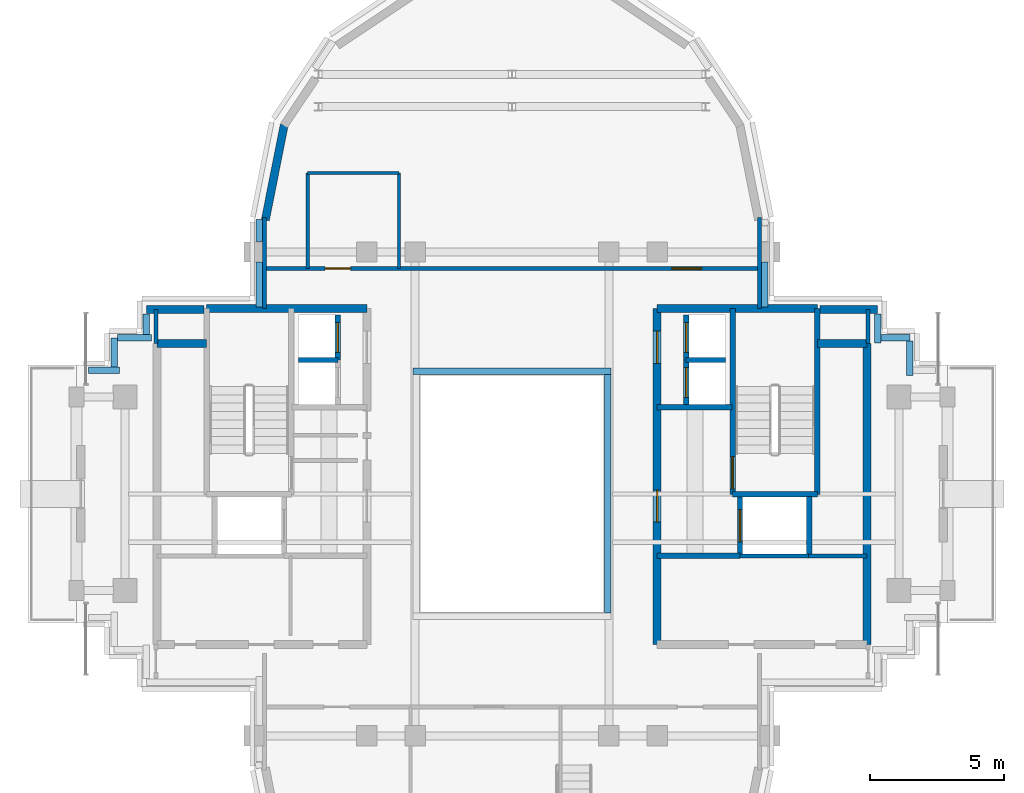
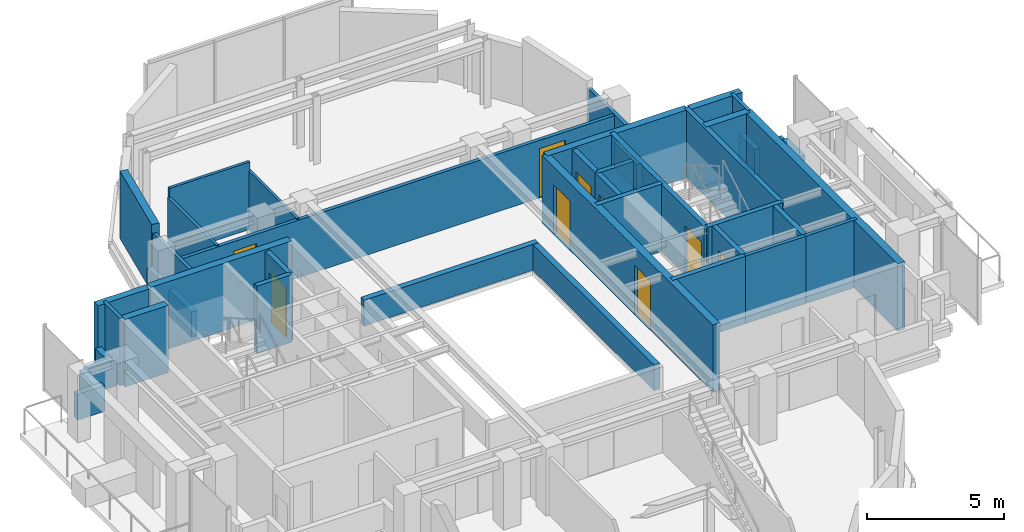
# One storey, part 8 of 12: 43 walls, 9 doors, 9 openings.
"""IFC4 building model written with IfcOpenShell, lengths in metres."""

import ifcopenshell
import ifcopenshell.guid

model = None  # the IFC model being written
_history = None  # IfcOwnerHistory: only IFC2X3 demands one
_inside = {}  # id of a spatial element -> (the spatial element, [elements in it])
_under = {}  # id of a project, library or spatial element -> (it, [spatial elements below it])
_declared = {}  # id of a project -> (the project, [libraries it declares])
_typed = {}  # id of a type object -> (the type object, [elements of that type])
_made_of = {}  # id of a material, layer set ... -> (it, [elements and type objects made of it])


def new_model(schema):
    """Start an empty IFC model of exactly this schema.

    Asked for "IFC4X3", IfcOpenShell would pick the latest addendum, in which some entities
    have other attributes; the version numbers below select the first issue.
    IFC2X3 requires an IfcOwnerHistory on every rooted entity: one is made here for all.
    """
    global model, _history
    if schema == "IFC4X3":
        model = ifcopenshell.file(schema_version=(4, 3, 0, 0))
    else:
        model = ifcopenshell.file(schema=schema)
    _inside.clear()
    _under.clear()
    _declared.clear()
    _typed.clear()
    _made_of.clear()
    _history = None
    if model.schema == "IFC2X3":
        org = make("IfcOrganization", Name="unknown")
        user = make(
            "IfcPersonAndOrganization",
            ThePerson=make("IfcPerson", FamilyName="unknown"),
            TheOrganization=org,
        )
        app = make(
            "IfcApplication",
            ApplicationDeveloper=org,
            Version="unknown",
            ApplicationFullName="unknown",
            ApplicationIdentifier="unknown",
        )
        _history = make(
            "IfcOwnerHistory",
            OwningUser=user,
            OwningApplication=app,
            ChangeAction="ADDED",
            CreationDate=0,
        )
    return model


def make(cls, **values):
    """One entity of the class cls with the attributes given. An attribute that is None is left unset."""
    return model.create_entity(
        cls, **{name: value for name, value in values.items() if value is not None}
    )


def rooted(cls, **values):
    """An entity with a GlobalId (a new one), such as an element, a storey or a relation."""
    return make(cls, GlobalId=ifcopenshell.guid.new(), OwnerHistory=_history, **values)


def si_unit(unit_type, name, prefix=None):
    """IfcSIUnit, for example si_unit("LENGTHUNIT", "METRE", prefix="MILLI")."""
    return make("IfcSIUnit", UnitType=unit_type, Prefix=prefix, Name=name)


def assignment(units):
    """IfcUnitAssignment: the units of a project."""
    return None if units is None else make("IfcUnitAssignment", Units=units)


def point(xyz):
    """IfcCartesianPoint."""
    return None if xyz is None else make("IfcCartesianPoint", Coordinates=xyz)


def direction(xyz):
    """IfcDirection."""
    return None if xyz is None else make("IfcDirection", DirectionRatios=xyz)


def frame(location, z_axis=None, x_axis=None):
    """IfcAxis2Placement3D, a coordinate frame: its origin and axes. An axis left out is left unset."""
    return make(
        "IfcAxis2Placement3D",
        Location=point(location),
        Axis=direction(z_axis),
        RefDirection=direction(x_axis),
    )


def frame_2d(location, x_axis=None):
    """IfcAxis2Placement2D, a coordinate frame in the plane: its origin and x axis."""
    return make(
        "IfcAxis2Placement2D", Location=point(location), RefDirection=direction(x_axis)
    )


def origin():
    """The frame at (0, 0, 0) with its axes left unset."""
    return frame((0.0, 0.0, 0.0))


def place(relative_to, where):
    """IfcLocalPlacement: puts the frame where relative to a parent placement (None: the world)."""
    return make(
        "IfcLocalPlacement", PlacementRelTo=relative_to, RelativePlacement=where
    )


def context(
    kind, dimensions, precision=None, world=None, true_north=None, identifier=None
):
    """IfcGeometricRepresentationContext, for example the 3D "Model" context."""
    return make(
        "IfcGeometricRepresentationContext",
        ContextIdentifier=identifier,
        ContextType=kind,
        CoordinateSpaceDimension=dimensions,
        Precision=precision,
        WorldCoordinateSystem=world,
        TrueNorth=true_north,
    )


def subcontext(parent, identifier, kind, view, scale=None):
    """IfcGeometricRepresentationSubContext, for example "Body" below "Model"."""
    return make(
        "IfcGeometricRepresentationSubContext",
        ContextIdentifier=identifier,
        ContextType=kind,
        ParentContext=parent,
        TargetScale=scale,
        TargetView=view,
    )


def project(units=None, contexts=None):
    """IfcProject with its units and contexts."""
    return rooted(
        "IfcProject",
        Name="project",
        RepresentationContexts=contexts,
        UnitsInContext=assignment(units),
    )


def spatial(cls, under=None, at=None, **own):
    """A site, building, storey or space (cls), placed at a placement, below another one or the project."""
    s = rooted(cls, ObjectPlacement=at, **own)
    if under is not None:
        _under.setdefault(under.id(), (under, []))[1].append(s)
    return s


def profile(cls, at=None, kind="AREA", **sizes):
    """A parametric profile (cls). Its sizes go by their IFC names, for example OverallWidth=200.0."""
    return make(cls, ProfileType=kind, Position=at, **sizes)


def rectangle(**sizes):
    """IfcRectangleProfileDef."""
    return profile("IfcRectangleProfileDef", **sizes)


def extrude(swept, where, along, depth):
    """IfcExtrudedAreaSolid: the profile swept, set in the frame where, extruded along a direction by depth."""
    return make(
        "IfcExtrudedAreaSolid",
        SweptArea=swept,
        Position=where,
        ExtrudedDirection=direction(along),
        Depth=depth,
    )


def shape(context_of_items, identifier, shape_type, items):
    """IfcShapeRepresentation: the items that make up one representation, for example the "Body"."""
    return make(
        "IfcShapeRepresentation",
        ContextOfItems=context_of_items,
        RepresentationIdentifier=identifier,
        RepresentationType=shape_type,
        Items=items,
    )


def source(mapping_origin, context_of_items, identifier, shape_type, items):
    """IfcRepresentationMap: a shape defined once, which mapped items show again and again."""
    return make(
        "IfcRepresentationMap",
        MappingOrigin=mapping_origin,
        MappedRepresentation=shape(context_of_items, identifier, shape_type, items),
    )


def transform(
    local_origin,
    x_axis=None,
    y_axis=None,
    z_axis=None,
    scale=None,
    scale2=None,
    scale3=None,
    uniform=True,
):
    """IfcCartesianTransformationOperator3D, or its non-uniform kind. x_axis, y_axis, z_axis: its Axis1, 2, 3."""
    if uniform:
        return make(
            "IfcCartesianTransformationOperator3D",
            Axis1=direction(x_axis),
            Axis2=direction(y_axis),
            LocalOrigin=point(local_origin),
            Scale=scale,
            Axis3=direction(z_axis),
        )
    return make(
        "IfcCartesianTransformationOperator3DnonUniform",
        Axis1=direction(x_axis),
        Axis2=direction(y_axis),
        LocalOrigin=point(local_origin),
        Scale=scale,
        Axis3=direction(z_axis),
        Scale2=scale2,
        Scale3=scale3,
    )


def mapped(mapping_source, mapping_target):
    """IfcMappedItem: shows the shape of a source again, moved by a transform."""
    return make(
        "IfcMappedItem", MappingSource=mapping_source, MappingTarget=mapping_target
    )


def material(Name=None, Category=None):
    """IfcMaterial."""
    return make("IfcMaterial", Name=Name, Category=Category)


def layer(
    of_material, thickness, ventilated=None, Name=None, Category=None, Priority=None
):
    """IfcMaterialLayer: one layer of a wall or slab, of a material (None: an air gap)."""
    return make(
        "IfcMaterialLayer",
        Material=of_material,
        LayerThickness=thickness,
        IsVentilated=ventilated,
        Name=Name,
        Category=Category,
        Priority=Priority,
    )


def layer_set(layers, Name=None):
    """IfcMaterialLayerSet."""
    return make("IfcMaterialLayerSet", MaterialLayers=layers, LayerSetName=Name)


def made_of(thing, what):
    """Note that an element or type object is made of a material, layer set ...; save() writes the relation."""
    if what is not None:
        _made_of.setdefault(what.id(), (what, []))[1].append(thing)
    return thing


def type_object(cls, material=None, **own):
    """A type object (cls), such as IfcWallType, which elements share."""
    return made_of(rooted(cls, **own), material)


def element(
    cls,
    number,
    at=None,
    inside=None,
    cuts=None,
    type_object=None,
    material=None,
    context=None,
    identifier="Body",
    shape_type=None,
    held_by="IfcProductDefinitionShape",
    body=None,
    shapes=None,
    **own,
):
    """One element of the class cls, such as IfcWall. Its Tag is "e" and its number.

    at: its placement. inside: the storey or other place that contains it. cuts: it is an
    opening in that element (IfcRelVoidsElement). A single representation is given by context,
    identifier, shape_type and body (its items); several are given by shapes. held_by: the class
    of the entity that holds the representations. save() writes the other relations.
    """
    e = rooted(cls, Tag="e%d" % number, ObjectPlacement=at, **own)
    if body is not None:
        shapes = [shape(context, identifier, shape_type, body)]
    if shapes is not None:
        e.Representation = make(held_by, Representations=shapes)
    if inside is not None:
        _inside.setdefault(inside.id(), (inside, []))[1].append(e)
    if cuts is not None:
        rooted(
            "IfcRelVoidsElement", RelatingBuildingElement=cuts, RelatedOpeningElement=e
        )
    if type_object is not None:
        _typed.setdefault(type_object.id(), (type_object, []))[1].append(e)
    return made_of(e, material)


def fill(opening, filler):
    """IfcRelFillsElement: the door or window that sits in an opening."""
    return rooted(
        "IfcRelFillsElement",
        RelatingOpeningElement=opening,
        RelatedBuildingElement=filler,
    )


def aggregate(whole, parts):
    """IfcRelAggregates: a whole, such as a stair, and the parts it consists of."""
    return rooted("IfcRelAggregates", RelatingObject=whole, RelatedObjects=parts)


def save(model, path):
    """Write the relations noted so far, then the file.

    IfcRelAggregates (storeys below a building ...), IfcRelContainedInSpatialStructure (elements
    in a storey), IfcRelDefinesByType, IfcRelAssociatesMaterial and IfcRelDeclares: one each for
    every whole, place, type object, material and project.
    """
    for whole, parts in _under.values():
        aggregate(whole, parts)
    for where, things in _inside.values():
        rooted(
            "IfcRelContainedInSpatialStructure",
            RelatedElements=things,
            RelatingStructure=where,
        )
    for kind, things in _typed.values():
        rooted("IfcRelDefinesByType", RelatedObjects=things, RelatingType=kind)
    for what, things in _made_of.values():
        rooted("IfcRelAssociatesMaterial", RelatedObjects=things, RelatingMaterial=what)
    for by, libraries in _declared.values():
        rooted("IfcRelDeclares", RelatingContext=by, RelatedDefinitions=libraries)
    model.write(path)


model = new_model("IFC4")

# Units and contexts
model_context = context("Model", 3, precision=1e-05, world=origin(), true_north=direction((0.0, 1.0)))
body_context = subcontext(model_context, "Body", "Model", "MODEL_VIEW")
ifc_project = project(units=[si_unit("LENGTHUNIT", "METRE"), si_unit("AREAUNIT", "SQUARE_METRE"), si_unit("VOLUMEUNIT", "CUBIC_METRE"), si_unit("PLANEANGLEUNIT", "RADIAN"), si_unit("MASSUNIT", "GRAM", prefix="KILO")], contexts=[model_context])

# Site, building, storey
site_placement = place(None, origin())
site = spatial("IfcSite", under=ifc_project, at=site_placement, CompositionType="ELEMENT")
building_placement = place(site_placement, origin())
building = spatial("IfcBuilding", under=site, at=building_placement, Name="Keilestroom Media Tower", CompositionType="ELEMENT")
storey_placement = place(building_placement, frame((0.0, 0.0, 252.39990234375)))
storey = spatial("IfcBuildingStorey", under=building, at=storey_placement, Name="L70", CompositionType="ELEMENT", Elevation=252.39990234375)

# Walls
ifc_material_1 = material(Name="Precast concrete C40/50", Category="concrete")
ifc_layer_1 = layer(ifc_material_1, 0.300048828125)
ifc_layer_set_1 = layer_set([ifc_layer_1], Name="Precast concrete C40/50")
wall_type_1 = type_object("IfcWallType", Name="Exterior-Masonry-Spandrel-Wall-300", PredefinedType="SOLIDWALL", material=ifc_layer_set_1)
for number, where, z_axis, x_axis, name in (
    (1, (-13.60009765625, 6.85009765625, 0.0), (0.0, 0.0, 1.0), (1.0, 0.0, 0.0), "L70 Flank Masonry Wall EWL-L70-NW-1"),
    (2, (11.447998046875, 6.85009765625, 0.0), (0.0, 0.0, 1.0), (1.0, 0.0, 0.0), "L70 Flank Masonry Wall EWL-L70-NE-1"),
):
    element("IfcWall", number, at=place(storey_placement, frame(where, z_axis=z_axis, x_axis=x_axis)), inside=storey, type_object=wall_type_1, Name=name, PredefinedType="SOLIDWALL", context=body_context, shape_type="SweptSolid", body=[
        extrude(rectangle(XDim=2.152099609375, YDim=0.300048828125, at=frame_2d((1.076171875, 0.0))), origin(), (0.0, 0.0, 1.0), 3.010009765625),
    ])
wall_1_placement = place(storey_placement, frame((-8.470703125, 13.724609375, 0.0), z_axis=(0.0, 0.0, 1.0), x_axis=(-0.195114232679, -0.980780523974, 0.0)))
element("IfcWall", 3, at=wall_1_placement, inside=storey, type_object=wall_type_1, Name="L70 Lobe Facet Precast Frame Wall 06", PredefinedType="SOLIDWALL", context=body_context, shape_type="SweptSolid", body=[
    extrude(rectangle(XDim=3.608642578125, YDim=0.300048828125, at=frame_2d((1.80419921875, 0.0))), origin(), (0.0, 0.0, 1.0), 3.010009765625),
])
ifc_material_2 = material(Name="Gypsum Plasterboard & Steel Stud", Category="steel")
ifc_layer_2 = layer(ifc_material_2, 0.1201171875)
ifc_layer_set_2 = layer_set([ifc_layer_2], Name="Gypsum Plasterboard & Steel Stud")
wall_type_2 = type_object("IfcWallType", Name="Interior-Partition-Wall-120", PredefinedType="PARTITIONING", material=ifc_layer_set_2)
wall_2_placement = place(storey_placement, frame((-7.60009765625, 11.929931640625, 0.0), z_axis=(0.0, 0.0, 1.0), x_axis=(1.0, 0.0, 0.0)))
element("IfcWall", 4, at=wall_2_placement, inside=storey, type_object=wall_type_2, Name="L70 Interior Wall WP-L70-NL-WC-N", PredefinedType="PARTITIONING", context=body_context, shape_type="SweptSolid", body=[
    extrude(rectangle(XDim=3.400146484375, YDim=0.1201171875, at=frame_2d((1.7001953125, 0.0))), origin(), (0.0, 0.0, 1.0), 3.010009765625),
])
for number, where, z_axis, x_axis, name in (
    (5, (-7.60009765625, 8.3798828125, 0.0), (0.0, 0.0, 1.0), (0.0, 1.0, 0.0), "L70 Interior Wall WP-L70-NL-WC-W"),
    (6, (-4.199951171875, 8.3798828125, 0.0), (0.0, 0.0, 1.0), (0.0, 1.0, 0.0), "L70 Interior Wall WP-L70-NL-WC-E"),
):
    element("IfcWall", number, at=place(storey_placement, frame(where, z_axis=z_axis, x_axis=x_axis)), inside=storey, type_object=wall_type_2, Name=name, PredefinedType="PARTITIONING", context=body_context, shape_type="SweptSolid", body=[
        extrude(rectangle(XDim=3.550048828125, YDim=0.1201171875, at=frame_2d((1.77490234375, 0.0))), origin(), (0.0, 0.0, 1.0), 2.610107421875),
    ])
ifc_layer_3 = layer(ifc_material_2, 0.14990234375)
ifc_layer_set_3 = layer_set([ifc_layer_3], Name="Gypsum Plasterboard & Steel Stud")
wall_type_3 = type_object("IfcWallType", Name="Interior-Partition-Wall-150", PredefinedType="PARTITIONING", material=ifc_layer_set_3)
wall_3_placement = place(storey_placement, frame((11.02001953125, -2.320068359375, 0.0), z_axis=(0.0, 0.0, 1.0), x_axis=(1.0, 0.0, 0.0)))
element("IfcWall", 7, at=wall_3_placement, inside=storey, type_object=wall_type_3, Name="L70 Interior Wall WP-L70-RECLE-N", PredefinedType="PARTITIONING", context=body_context, shape_type="SweptSolid", body=[
    extrude(rectangle(XDim=2.179931640625, YDim=0.14990234375, at=frame_2d((1.08984375, 0.0))), origin(), (0.0, 0.0, 1.0), 3.010009765625),
])
wall_4_placement = place(storey_placement, frame((8.47998046875, -2.320068359375, 0.0), z_axis=(0.0, 0.0, 1.0), x_axis=(1.0, 0.0, 0.0)))
element("IfcWall", 8, at=wall_4_placement, inside=storey, type_object=wall_type_3, Name="L70 Interior Wall WP-L70-RECME-N", PredefinedType="PARTITIONING", context=body_context, shape_type="SweptSolid", body=[
    extrude(rectangle(XDim=2.56005859375, YDim=0.14990234375, at=frame_2d((1.280029296875, 0.0))), origin(), (0.0, 0.0, 1.0), 3.010009765625),
])

# Wall, openings, doors
wall_5_placement = place(storey_placement, frame((-9.199951171875, 8.3798828125, 0.0), z_axis=(0.0, 0.0, 1.0), x_axis=(1.0, 0.0, 0.0)))
wall_5 = element("IfcWall", 9, at=wall_5_placement, inside=storey, type_object=wall_type_3, Name="L70 Interior Wall WP-L70-NL-BASE", PredefinedType="PARTITIONING", context=body_context, shape_type="SweptSolid", body=[
    extrude(rectangle(XDim=18.39990234375, YDim=0.14990234375, at=frame_2d((9.199951171875, 0.0))), origin(), (0.0, 0.0, 1.0), 2.570068359375),
])
opening_1_placement = place(wall_5_placement, frame((2.25, 0.0, 0.0)))
opening_1 = element("IfcOpeningElement", 10, at=opening_1_placement, cuts=wall_5, Name="Opening DI-03", PredefinedType="OPENING", context=body_context, shape_type="SweptSolid", body=[
    extrude(rectangle(XDim=0.949951171875, YDim=2.14990234375, at=frame_2d((0.47509765625, 1.074951171875))), frame((0.0, 0.0849609375, 0.0), z_axis=(0.0, -1.0, 0.0), x_axis=(1.0, 0.0, 0.0)), (0.0, 0.0, 1.0), 0.169921875),
])
opening_2_placement = place(wall_5_placement, frame((15.14990234375, 0.0, 0.0)))
opening_2 = element("IfcOpeningElement", 11, at=opening_2_placement, cuts=wall_5, Name="Opening DI-04", PredefinedType="OPENING", context=body_context, shape_type="SweptSolid", body=[
    extrude(rectangle(XDim=1.10009765625, YDim=2.199951171875, at=frame_2d((0.550048828125, 1.10009765625))), frame((0.0, 0.0849609375, 0.0), z_axis=(0.0, -1.0, 0.0), x_axis=(1.0, 0.0, 0.0)), (0.0, 0.0, 1.0), 0.169921875),
])
ifc_material_3 = material(Name="Lacquered European Oak Leaf", Category="wood")
door_type_1 = type_object("IfcDoorType", Name="Interior-Room-And-Suite-Door-DI-03", OperationType="NOTDEFINED", PredefinedType="DOOR", material=ifc_material_3)
shared_shape_1 = source(origin(), body_context, "Body", "SweptSolid", [
    extrude(rectangle(XDim=0.949951171875, YDim=2.14990234375, at=frame_2d((0.47509765625, 1.074951171875))), frame((0.0, 0.02490234375, 0.0), z_axis=(0.0, -1.0, 0.0), x_axis=(1.0, 0.0, 0.0)), (0.0, 0.0, 1.0), 0.050048828125),
])
door_1_placement = place(opening_1_placement, origin())
door_1 = element("IfcDoor", 12, at=door_1_placement, inside=storey, type_object=door_type_1, Name="L70 Interior Door DI-L70-DNL-WC", OperationType="SINGLE_SWING_LEFT", OverallHeight=2.14990234375, OverallWidth=0.949951171875, PredefinedType="DOOR", context=body_context, shape_type="MappedRepresentation", body=[
    mapped(shared_shape_1, transform((0.0, 0.0, 0.0), x_axis=(1.0, 0.0, 0.0), y_axis=(0.0, 1.0, 0.0), z_axis=(0.0, 0.0, 1.0), scale=1.0)),
])
fill(opening_1, door_1)
ifc_material_4 = material(Name="Acoustic Glazed Aluminium Leaf", Category="aluminium")
door_type_2 = type_object("IfcDoorType", Name="Interior-Room-And-Suite-Door-DI-04", OperationType="NOTDEFINED", PredefinedType="DOOR", material=ifc_material_4)
shared_shape_2 = source(origin(), body_context, "Body", "SweptSolid", [
    extrude(rectangle(XDim=1.10009765625, YDim=2.199951171875, at=frame_2d((0.550048828125, 1.10009765625))), frame((0.0, 0.02490234375, 0.0), z_axis=(0.0, -1.0, 0.0), x_axis=(1.0, 0.0, 0.0)), (0.0, 0.0, 1.0), 0.050048828125),
])
door_2_placement = place(opening_2_placement, origin())
door_2 = element("IfcDoor", 13, at=door_2_placement, inside=storey, type_object=door_type_2, Name="L70 Interior Door DI-L70-DNL-HALL", OperationType="SINGLE_SWING_RIGHT", OverallHeight=2.199951171875, OverallWidth=1.10009765625, PredefinedType="DOOR", context=body_context, shape_type="MappedRepresentation", body=[
    mapped(shared_shape_2, transform((0.0, 0.0, 0.0), x_axis=(1.0, 0.0, 0.0), y_axis=(0.0, 1.0, 0.0), z_axis=(0.0, 0.0, 1.0), scale=1.0)),
])
fill(opening_2, door_2)

# Walls
for number, where, z_axis, x_axis, name in (
    (14, (-9.199951171875, 6.89990234375, 0.0), (0.0, 0.0, 1.0), (0.0, 1.0, 0.0), "L70 Interior Wall WP-L70-NL-CHKW"),
    (15, (9.199951171875, 6.89990234375, 0.0), (0.0, 0.0, 1.0), (0.0, 1.0, 0.0), "L70 Interior Wall WP-L70-NL-CHKE"),
):
    element("IfcWall", number, at=place(storey_placement, frame(where, z_axis=z_axis, x_axis=x_axis)), inside=storey, type_object=wall_type_3, Name=name, PredefinedType="PARTITIONING", context=body_context, shape_type="SweptSolid", body=[
        extrude(rectangle(XDim=3.380126953125, YDim=0.14990234375, at=frame_2d((1.68994140625, 0.0))), origin(), (0.0, 0.0, 1.0), 2.610107421875),
    ])
for number, where, z_axis, x_axis, name in (
    (16, (-13.25, 5.60009765625, 0.0), (0.0, 0.0, 1.0), (0.0, 1.0, 0.0), "L70 Interior Wall WP-L70-WA-ENTN"),
    (17, (13.25, 5.60009765625, 0.0), (0.0, 0.0, 1.0), (0.0, 1.0, 0.0), "L70 Interior Wall WP-L70-EA-ENTN"),
):
    element("IfcWall", number, at=place(storey_placement, frame(where, z_axis=z_axis, x_axis=x_axis)), inside=storey, type_object=wall_type_3, Name=name, PredefinedType="PARTITIONING", context=body_context, shape_type="SweptSolid", body=[
        extrude(rectangle(XDim=1.25, YDim=0.14990234375, at=frame_2d((0.625, 0.0))), origin(), (0.0, 0.0, 1.0), 3.010009765625),
    ])
ifc_material_5 = material(Name="Concrete C50/60", Category="concrete")
ifc_layer_4 = layer(ifc_material_5, 0.300048828125)
ifc_layer_set_4 = layer_set([ifc_layer_4], Name="Concrete C50/60")
wall_type_4 = type_object("IfcWallType", Name="Reinforced-Concrete-Core-Shear-Wall-300", PredefinedType="SHEAR", material=ifc_layer_set_4)
wall_6_placement = place(storey_placement, frame((-11.35595703125, 6.89990234375, 0.0), z_axis=(0.0, 0.0, 1.0), x_axis=(1.0, 0.0, 0.0)))
element("IfcWall", 18, at=wall_6_placement, inside=storey, type_object=wall_type_4, Name="L70 Core Shear Wall WL-L70-CORE-W-N", PredefinedType="SHEAR", context=body_context, shape_type="SweptSolid", body=[
    extrude(rectangle(XDim=5.9560546875, YDim=0.300048828125, at=frame_2d((2.97802734375, 0.0))), origin(), (0.0, 0.0, 1.0), 3.010009765625),
])
wall_7_placement = place(storey_placement, frame((-13.199951171875, 5.60009765625, 0.0), z_axis=(0.0, 0.0, 1.0), x_axis=(1.0, 0.0, 0.0)))
element("IfcWall", 19, at=wall_7_placement, inside=storey, type_object=wall_type_4, Name="L70 Core Shear Wall WL-L70-CNW-N", PredefinedType="SHEAR", context=body_context, shape_type="SweptSolid", body=[
    extrude(rectangle(XDim=1.843994140625, YDim=0.300048828125, at=frame_2d((0.921875, 0.0))), origin(), (0.0, 0.0, 1.0), 3.010009765625),
])
wall_8_placement = place(storey_placement, frame((13.199951171875, -5.60009765625, 0.0), z_axis=(0.0, 0.0, 1.0), x_axis=(0.0, 1.0, 0.0)))
element("IfcWall", 20, at=wall_8_placement, inside=storey, type_object=wall_type_4, Name="L70 Core Shear Wall WL-L70-CORE-E-OUT", PredefinedType="SHEAR", context=body_context, shape_type="SweptSolid", body=[
    extrude(rectangle(XDim=11.2001953125, YDim=0.300048828125, at=frame_2d((5.60009765625, 0.0))), origin(), (0.0, 0.0, 1.0), 3.010009765625),
])

# Wall, openings, doors
wall_9_placement = place(storey_placement, frame((5.39990234375, -5.60009765625, 0.0), z_axis=(0.0, 0.0, 1.0), x_axis=(0.0, 1.0, 0.0)))
wall_9 = element("IfcWall", 21, at=wall_9_placement, inside=storey, type_object=wall_type_4, Name="L70 Core Shear Wall WL-L70-CORE-E-IN", PredefinedType="SHEAR", context=body_context, shape_type="SweptSolid", body=[
    extrude(rectangle(XDim=12.5, YDim=0.300048828125, at=frame_2d((6.25, 0.0))), origin(), (0.0, 0.0, 1.0), 3.010009765625),
])
opening_3_placement = place(wall_9_placement, frame((4.550048828125, 0.0, 0.0)))
opening_3 = element("IfcOpeningElement", 22, at=opening_3_placement, cuts=wall_9, Name="Opening DI-02", PredefinedType="OPENING", context=body_context, shape_type="SweptSolid", body=[
    extrude(rectangle(XDim=1.199951171875, YDim=2.199951171875, at=frame_2d((0.60009765625, 1.10009765625))), frame((0.0, 0.16015625, 0.0), z_axis=(0.0, -1.0, 0.0), x_axis=(1.0, 0.0, 0.0)), (0.0, 0.0, 1.0), 0.320068359375),
])
opening_4_placement = place(wall_9_placement, frame((10.449951171875, 0.0, 0.0)))
opening_4 = element("IfcOpeningElement", 23, at=opening_4_placement, cuts=wall_9, Name="Opening DI-02", PredefinedType="OPENING", context=body_context, shape_type="SweptSolid", body=[
    extrude(rectangle(XDim=1.199951171875, YDim=2.199951171875, at=frame_2d((0.60009765625, 1.10009765625))), frame((0.0, 0.16015625, 0.0), z_axis=(0.0, -1.0, 0.0), x_axis=(1.0, 0.0, 0.0)), (0.0, 0.0, 1.0), 0.320068359375),
])
ifc_material_6 = material(Name="Powder-Coated Steel Fire Leaf", Category="steel")
door_type_3 = type_object("IfcDoorType", Name="Interior-Compartment-Fire-Door-DI-02", OperationType="NOTDEFINED", PredefinedType="DOOR", material=ifc_material_6)
shared_shape_3 = source(origin(), body_context, "Body", "SweptSolid", [
    extrude(rectangle(XDim=1.199951171875, YDim=2.199951171875, at=frame_2d((0.60009765625, 1.10009765625))), frame((0.0, 0.02490234375, 0.0), z_axis=(0.0, -1.0, 0.0), x_axis=(1.0, 0.0, 0.0)), (0.0, 0.0, 1.0), 0.050048828125),
])
door_3_placement = place(opening_3_placement, origin())
door_3 = element("IfcDoor", 24, at=door_3_placement, inside=storey, type_object=door_type_3, Name="L70 E Firefighting Lobby Door", OperationType="SINGLE_SWING_LEFT", OverallHeight=2.199951171875, OverallWidth=1.199951171875, PredefinedType="DOOR", context=body_context, shape_type="MappedRepresentation", body=[
    mapped(shared_shape_3, transform((0.0, 0.0, 0.0), x_axis=(1.0, 0.0, 0.0), y_axis=(0.0, 1.0, 0.0), z_axis=(0.0, 0.0, 1.0), scale=1.0)),
])
fill(opening_3, door_3)
door_4_placement = place(opening_4_placement, origin())
door_4 = element("IfcDoor", 25, at=door_4_placement, inside=storey, type_object=door_type_3, Name="L70 E High-Rise Lift Lobby Door", OperationType="SINGLE_SWING_RIGHT", OverallHeight=2.199951171875, OverallWidth=1.199951171875, PredefinedType="DOOR", context=body_context, shape_type="MappedRepresentation", body=[
    mapped(shared_shape_3, transform((0.0, 0.0, 0.0), x_axis=(1.0, 0.0, 0.0), y_axis=(0.0, 1.0, 0.0), z_axis=(0.0, 0.0, 1.0), scale=1.0)),
])
fill(opening_4, door_4)

# Walls
wall_10_placement = place(storey_placement, frame((5.39990234375, 6.89990234375, 0.0), z_axis=(0.0, 0.0, 1.0), x_axis=(1.0, 0.0, 0.0)))
element("IfcWall", 26, at=wall_10_placement, inside=storey, type_object=wall_type_4, Name="L70 Core Shear Wall WL-L70-CORE-E-N", PredefinedType="SHEAR", context=body_context, shape_type="SweptSolid", body=[
    extrude(rectangle(XDim=5.9560546875, YDim=0.300048828125, at=frame_2d((2.97802734375, 0.0))), origin(), (0.0, 0.0, 1.0), 3.010009765625),
])
wall_11_placement = place(storey_placement, frame((11.35595703125, 5.60009765625, 0.0), z_axis=(0.0, 0.0, 1.0), x_axis=(1.0, 0.0, 0.0)))
element("IfcWall", 27, at=wall_11_placement, inside=storey, type_object=wall_type_4, Name="L70 Core Shear Wall WL-L70-CNE-N", PredefinedType="SHEAR", context=body_context, shape_type="SweptSolid", body=[
    extrude(rectangle(XDim=1.843994140625, YDim=0.300048828125, at=frame_2d((0.921875, 0.0))), origin(), (0.0, 0.0, 1.0), 3.010009765625),
])
ifc_layer_5 = layer(ifc_material_5, 0.199951171875)
ifc_layer_set_5 = layer_set([ifc_layer_5], Name="Concrete C50/60")
wall_type_5 = type_object("IfcWallType", Name="Reinforced-Concrete-Shaft-Wall-200", PredefinedType="SOLIDWALL", material=ifc_layer_set_5)
wall_12_placement = place(storey_placement, frame((5.39990234375, 3.219970703125, 0.0), z_axis=(0.0, 0.0, 1.0), x_axis=(1.0, 0.0, 0.0)))
element("IfcWall", 28, at=wall_12_placement, inside=storey, type_object=wall_type_5, Name="L70 Core Shear Wall WL-L70-CORE-E-FFN", PredefinedType="SOLIDWALL", context=body_context, shape_type="SweptSolid", body=[
    extrude(rectangle(XDim=2.780029296875, YDim=0.199951171875, at=frame_2d((1.39013671875, 0.0))), origin(), (0.0, 0.0, 1.0), 3.010009765625),
])
wall_13_placement = place(storey_placement, frame((5.39990234375, -2.300048828125, 0.0), z_axis=(0.0, 0.0, 1.0), x_axis=(1.0, 0.0, 0.0)))
element("IfcWall", 29, at=wall_13_placement, inside=storey, type_object=wall_type_5, Name="L70 Core Shear Wall WL-L70-CORE-E-FFS", PredefinedType="SOLIDWALL", context=body_context, shape_type="SweptSolid", body=[
    extrude(rectangle(XDim=3.080078125, YDim=0.199951171875, at=frame_2d((1.5400390625, 0.0))), origin(), (0.0, 0.0, 1.0), 3.010009765625),
])

# Wall, opening, door
wall_14_placement = place(storey_placement, frame((8.2041015625, -0.01611328125, 0.0), z_axis=(0.0, 0.0, 1.0), x_axis=(0.0, 1.0, 0.0)))
wall_14 = element("IfcWall", 30, at=wall_14_placement, inside=storey, type_object=wall_type_5, Name="L70 Core Shear Wall WL-L70-STW-E-NEAR", PredefinedType="SOLIDWALL", context=body_context, shape_type="SweptSolid", body=[
    extrude(rectangle(XDim=6.916015625, YDim=0.199951171875, at=frame_2d((3.4580078125, 0.0))), origin(), (0.0, 0.0, 1.0), 3.010009765625),
])
opening_5_placement = place(wall_14_placement, frame((0.199951171875, 0.0, 0.0)))
opening_5 = element("IfcOpeningElement", 31, at=opening_5_placement, cuts=wall_14, Name="Opening DI-01S", PredefinedType="OPENING", context=body_context, shape_type="SweptSolid", body=[
    extrude(rectangle(XDim=1.199951171875, YDim=2.199951171875, at=frame_2d((0.60009765625, 1.10009765625))), frame((0.0, 0.10986328125, 0.0), z_axis=(0.0, -1.0, 0.0), x_axis=(1.0, 0.0, 0.0)), (0.0, 0.0, 1.0), 0.219970703125),
])
door_type_4 = type_object("IfcDoorType", Name="Interior-Stair-And-Core-Fire-Door-DI-01", OperationType="NOTDEFINED", PredefinedType="DOOR", material=ifc_material_6)
door_5_placement = place(opening_5_placement, origin())
door_5 = element("IfcDoor", 32, at=door_5_placement, inside=storey, type_object=door_type_4, Name="L70 Escape Stair ST-2 Fire Door", OperationType="SINGLE_SWING_RIGHT", OverallHeight=2.199951171875, OverallWidth=1.199951171875, PredefinedType="DOOR", context=body_context, shape_type="MappedRepresentation", body=[
    mapped(shared_shape_3, transform((0.0, 0.0, 0.0), x_axis=(1.0, 0.0, 0.0), y_axis=(0.0, 1.0, 0.0), z_axis=(0.0, 0.0, 1.0), scale=1.0)),
])
fill(opening_5, door_5)

# Walls
wall_15_placement = place(storey_placement, frame((11.35595703125, -0.01611328125, 0.0), z_axis=(0.0, 0.0, 1.0), x_axis=(0.0, 1.0, 0.0)))
element("IfcWall", 33, at=wall_15_placement, inside=storey, type_object=wall_type_5, Name="L70 Core Shear Wall WL-L70-STW-E-FAR", PredefinedType="SOLIDWALL", context=body_context, shape_type="SweptSolid", body=[
    extrude(rectangle(XDim=6.916015625, YDim=0.199951171875, at=frame_2d((3.4580078125, 0.0))), origin(), (0.0, 0.0, 1.0), 3.010009765625),
])
wall_16_placement = place(storey_placement, frame((8.2041015625, -0.01611328125, 0.0), z_axis=(0.0, 0.0, 1.0), x_axis=(1.0, 0.0, 0.0)))
element("IfcWall", 34, at=wall_16_placement, inside=storey, type_object=wall_type_5, Name="L70 Core Shear Wall WL-L70-STW-E-S", PredefinedType="SOLIDWALL", context=body_context, shape_type="SweptSolid", body=[
    extrude(rectangle(XDim=3.15185546875, YDim=0.199951171875, at=frame_2d((1.575927734375, 0.0))), origin(), (0.0, 0.0, 1.0), 3.010009765625),
])

# Wall, opening, door
wall_17_placement = place(storey_placement, frame((8.47998046875, -2.280029296875, 0.0), z_axis=(0.0, 0.0, 1.0), x_axis=(0.0, 1.0, 0.0)))
wall_17 = element("IfcWall", 35, at=wall_17_placement, inside=storey, type_object=wall_type_5, Name="L70 Core Shear Wall WL-L70-LSH-FFL-2-W", PredefinedType="SOLIDWALL", context=body_context, shape_type="SweptSolid", body=[
    extrude(rectangle(XDim=2.179931640625, YDim=0.199951171875, at=frame_2d((1.08984375, 0.0))), origin(), (0.0, 0.0, 1.0), 3.010009765625),
])
opening_6_placement = place(wall_17_placement, frame((0.489990234375, 0.0, 0.0)))
opening_6 = element("IfcOpeningElement", 36, at=opening_6_placement, cuts=wall_17, Name="Opening LD-02", PredefinedType="OPENING", context=body_context, shape_type="SweptSolid", body=[
    extrude(rectangle(XDim=1.199951171875, YDim=2.199951171875, at=frame_2d((0.60009765625, 1.10009765625))), frame((0.0, 0.10986328125, 0.0), z_axis=(0.0, -1.0, 0.0), x_axis=(1.0, 0.0, 0.0)), (0.0, 0.0, 1.0), 0.219970703125),
])
ifc_material_7 = material(Name="Brushed Stainless Steel Sliding Leaf", Category="steel")
door_type_5 = type_object("IfcDoorType", Name="Lift-Landing-Sliding-Door-LD-02", OperationType="SLIDING_TO_RIGHT", PredefinedType="DOOR", material=ifc_material_7)
door_6_placement = place(opening_6_placement, origin())
door_6 = element("IfcDoor", 37, at=door_6_placement, inside=storey, type_object=door_type_5, Name="L70 Lift FFL-2 Landing Sliding Door", OperationType="SLIDING_TO_RIGHT", OverallHeight=2.199951171875, OverallWidth=1.199951171875, PredefinedType="DOOR", context=body_context, shape_type="MappedRepresentation", body=[
    mapped(shared_shape_3, transform((0.0, 0.0, 0.0), x_axis=(1.0, 0.0, 0.0), y_axis=(0.0, 1.0, 0.0), z_axis=(0.0, 0.0, 1.0), scale=1.0)),
])
fill(opening_6, door_6)

# Walls
wall_18_placement = place(storey_placement, frame((11.050048828125, -2.280029296875, 0.0), z_axis=(0.0, 0.0, 1.0), x_axis=(0.0, 1.0, 0.0)))
element("IfcWall", 38, at=wall_18_placement, inside=storey, type_object=wall_type_5, Name="L70 Core Shear Wall WL-L70-LSH-FFL-2-E", PredefinedType="SOLIDWALL", context=body_context, shape_type="SweptSolid", body=[
    extrude(rectangle(XDim=2.179931640625, YDim=0.199951171875, at=frame_2d((1.08984375, 0.0))), origin(), (0.0, 0.0, 1.0), 3.010009765625),
])
wall_19_placement = place(storey_placement, frame((-7.949951171875, 4.97998046875, 0.0), z_axis=(0.0, 0.0, 1.0), x_axis=(1.0, 0.0, 0.0)))
element("IfcWall", 39, at=wall_19_placement, inside=storey, type_object=wall_type_5, Name="L70 Core Shear Wall WL-L70-LSH-PL-H1-N", PredefinedType="SOLIDWALL", context=body_context, shape_type="SweptSolid", body=[
    extrude(rectangle(XDim=1.469970703125, YDim=0.199951171875, at=frame_2d((0.73486328125, 0.0))), origin(), (0.0, 0.0, 1.0), 3.010009765625),
])

# Wall, opening, door
wall_20_placement = place(storey_placement, frame((-6.47998046875, 4.97998046875, 0.0), z_axis=(0.0, 0.0, 1.0), x_axis=(0.0, 1.0, 0.0)))
wall_20 = element("IfcWall", 40, at=wall_20_placement, inside=storey, type_object=wall_type_5, Name="L70 Core Shear Wall WL-L70-LSH-PL-H2-E", PredefinedType="SOLIDWALL", context=body_context, shape_type="SweptSolid", body=[
    extrude(rectangle(XDim=1.669921875, YDim=0.199951171875, at=frame_2d((0.8349609375, 0.0))), origin(), (0.0, 0.0, 1.0), 3.010009765625),
])
opening_7_placement = place(wall_20_placement, frame((0.284912109375, 0.0, 0.0)))
opening_7 = element("IfcOpeningElement", 41, at=opening_7_placement, cuts=wall_20, Name="Opening LD-01", PredefinedType="OPENING", context=body_context, shape_type="SweptSolid", body=[
    extrude(rectangle(XDim=1.10009765625, YDim=2.199951171875, at=frame_2d((0.550048828125, 1.10009765625))), frame((0.0, 0.10986328125, 0.0), z_axis=(0.0, -1.0, 0.0), x_axis=(1.0, 0.0, 0.0)), (0.0, 0.0, 1.0), 0.219970703125),
])
door_type_6 = type_object("IfcDoorType", Name="Lift-Landing-Sliding-Door-LD-01", OperationType="SLIDING_TO_LEFT", PredefinedType="DOOR", material=ifc_material_7)
door_7_placement = place(opening_7_placement, origin())
door_7 = element("IfcDoor", 42, at=door_7_placement, inside=storey, type_object=door_type_6, Name="L70 Lift PL-H2 Landing Sliding Door", OperationType="SLIDING_TO_LEFT", OverallHeight=2.199951171875, OverallWidth=1.10009765625, PredefinedType="DOOR", context=body_context, shape_type="MappedRepresentation", body=[
    mapped(shared_shape_2, transform((0.0, 0.0, 0.0), x_axis=(1.0, 0.0, 0.0), y_axis=(0.0, 1.0, 0.0), z_axis=(0.0, 0.0, 1.0), scale=1.0)),
])
fill(opening_7, door_7)

wall_21_placement = place(storey_placement, frame((6.47998046875, 3.300048828125, 0.0), z_axis=(0.0, 0.0, 1.0), x_axis=(0.0, 1.0, 0.0)))
wall_21 = element("IfcWall", 43, at=wall_21_placement, inside=storey, type_object=wall_type_5, Name="L70 Core Shear Wall WL-L70-LSH-PL-H3-W", PredefinedType="SOLIDWALL", context=body_context, shape_type="SweptSolid", body=[
    extrude(rectangle(XDim=1.679931640625, YDim=0.199951171875, at=frame_2d((0.83984375, 0.0))), origin(), (0.0, 0.0, 1.0), 3.010009765625),
])
opening_8_placement = place(wall_21_placement, frame((0.2900390625, 0.0, 0.0)))
opening_8 = element("IfcOpeningElement", 44, at=opening_8_placement, cuts=wall_21, Name="Opening LD-01", PredefinedType="OPENING", context=body_context, shape_type="SweptSolid", body=[
    extrude(rectangle(XDim=1.10009765625, YDim=2.199951171875, at=frame_2d((0.550048828125, 1.10009765625))), frame((0.0, 0.10986328125, 0.0), z_axis=(0.0, -1.0, 0.0), x_axis=(1.0, 0.0, 0.0)), (0.0, 0.0, 1.0), 0.219970703125),
])
door_8_placement = place(opening_8_placement, origin())
door_8 = element("IfcDoor", 45, at=door_8_placement, inside=storey, type_object=door_type_6, Name="L70 Lift PL-H3 Landing Sliding Door", OperationType="SLIDING_TO_LEFT", OverallHeight=2.199951171875, OverallWidth=1.10009765625, PredefinedType="DOOR", context=body_context, shape_type="MappedRepresentation", body=[
    mapped(shared_shape_2, transform((0.0, 0.0, 0.0), x_axis=(1.0, 0.0, 0.0), y_axis=(0.0, 1.0, 0.0), z_axis=(0.0, 0.0, 1.0), scale=1.0)),
])
fill(opening_8, door_8)

# Wall
wall_22_placement = place(storey_placement, frame((6.47998046875, 4.97998046875, 0.0), z_axis=(0.0, 0.0, 1.0), x_axis=(1.0, 0.0, 0.0)))
element("IfcWall", 46, at=wall_22_placement, inside=storey, type_object=wall_type_5, Name="L70 Core Shear Wall WL-L70-LSH-PL-H3-N", PredefinedType="SOLIDWALL", context=body_context, shape_type="SweptSolid", body=[
    extrude(rectangle(XDim=1.469970703125, YDim=0.199951171875, at=frame_2d((0.73486328125, 0.0))), origin(), (0.0, 0.0, 1.0), 3.010009765625),
])

# Wall, opening, door
wall_23_placement = place(storey_placement, frame((6.47998046875, 4.97998046875, 0.0), z_axis=(0.0, 0.0, 1.0), x_axis=(0.0, 1.0, 0.0)))
wall_23 = element("IfcWall", 47, at=wall_23_placement, inside=storey, type_object=wall_type_5, Name="L70 Core Shear Wall WL-L70-LSH-PL-H4-W", PredefinedType="SOLIDWALL", context=body_context, shape_type="SweptSolid", body=[
    extrude(rectangle(XDim=1.669921875, YDim=0.199951171875, at=frame_2d((0.8349609375, 0.0))), origin(), (0.0, 0.0, 1.0), 3.010009765625),
])
opening_9_placement = place(wall_23_placement, frame((0.284912109375, 0.0, 0.0)))
opening_9 = element("IfcOpeningElement", 48, at=opening_9_placement, cuts=wall_23, Name="Opening LD-01", PredefinedType="OPENING", context=body_context, shape_type="SweptSolid", body=[
    extrude(rectangle(XDim=1.10009765625, YDim=2.199951171875, at=frame_2d((0.550048828125, 1.10009765625))), frame((0.0, 0.10986328125, 0.0), z_axis=(0.0, -1.0, 0.0), x_axis=(1.0, 0.0, 0.0)), (0.0, 0.0, 1.0), 0.219970703125),
])
door_9_placement = place(opening_9_placement, origin())
door_9 = element("IfcDoor", 49, at=door_9_placement, inside=storey, type_object=door_type_6, Name="L70 Lift PL-H4 Landing Sliding Door", OperationType="SLIDING_TO_LEFT", OverallHeight=2.199951171875, OverallWidth=1.10009765625, PredefinedType="DOOR", context=body_context, shape_type="MappedRepresentation", body=[
    mapped(shared_shape_2, transform((0.0, 0.0, 0.0), x_axis=(1.0, 0.0, 0.0), y_axis=(0.0, 1.0, 0.0), z_axis=(0.0, 0.0, 1.0), scale=1.0)),
])
fill(opening_9, door_9)

# Walls
ifc_layer_6 = layer(ifc_material_1, 0.239990234375)
ifc_layer_set_6 = layer_set([ifc_layer_6], Name="Precast concrete C40/50")
wall_type_6 = type_object("IfcWallType", Name="Roof-And-Terrace-Parapet-Wall-240", PredefinedType="PARAPET", material=ifc_layer_set_6)
wall_24_placement = place(storey_placement, frame((-15.757080078125, 4.60009765625, 0.0), z_axis=(0.0, 0.0, 1.0), x_axis=(1.0, 0.0, 0.0)))
element("IfcWall", 50, at=wall_24_placement, inside=storey, type_object=wall_type_6, Name="L70 Perimeter Edge Parapet Wall 16", PredefinedType="PARAPET", context=body_context, shape_type="SweptSolid", body=[
    extrude(rectangle(XDim=1.156982421875, YDim=0.239990234375, at=frame_2d((0.57861328125, 0.0))), origin(), (0.0, 0.0, 1.0), 1.150146484375),
])
wall_25_placement = place(storey_placement, frame((-14.800048828125, 4.722900390625, 0.0), z_axis=(0.0, 0.0, 1.0), x_axis=(0.0, 1.0, 0.0)))
element("IfcWall", 51, at=wall_25_placement, inside=storey, type_object=wall_type_6, Name="L70 Perimeter Edge Parapet Wall 17", PredefinedType="PARAPET", context=body_context, shape_type="SweptSolid", body=[
    extrude(rectangle(XDim=1.0771484375, YDim=0.239990234375, at=frame_2d((0.53857421875, 0.0))), origin(), (0.0, 0.0, 1.0), 1.150146484375),
])
wall_26_placement = place(storey_placement, frame((-14.677001953125, 5.800048828125, 0.0), z_axis=(0.0, 0.0, 1.0), x_axis=(1.0, 0.0, 0.0)))
element("IfcWall", 52, at=wall_26_placement, inside=storey, type_object=wall_type_6, Name="L70 Perimeter Edge Parapet Wall 18", PredefinedType="PARAPET", context=body_context, shape_type="SweptSolid", body=[
    extrude(rectangle(XDim=1.277099609375, YDim=0.239990234375, at=frame_2d((0.638671875, 0.0))), origin(), (0.0, 0.0, 1.0), 1.150146484375),
])
wall_27_placement = place(storey_placement, frame((-13.60009765625, 5.923095703125, 0.0), z_axis=(0.0, 0.0, 1.0), x_axis=(0.0, 1.0, 0.0)))
element("IfcWall", 53, at=wall_27_placement, inside=storey, type_object=wall_type_6, Name="L70 Perimeter Edge Parapet Wall 19", PredefinedType="PARAPET", context=body_context, shape_type="SweptSolid", body=[
    extrude(rectangle(XDim=0.77392578125, YDim=0.239990234375, at=frame_2d((0.386962890625, 0.0))), origin(), (0.0, 0.0, 1.0), 1.150146484375),
])
wall_28_placement = place(storey_placement, frame((-9.39990234375, 6.952880859375, 0.0), z_axis=(0.0, 0.0, 1.0), x_axis=(0.0, 1.0, 0.0)))
element("IfcWall", 54, at=wall_28_placement, inside=storey, type_object=wall_type_6, Name="L70 Perimeter Edge Parapet Wall 20", PredefinedType="PARAPET", context=body_context, shape_type="SweptSolid", body=[
    extrude(rectangle(XDim=1.669189453125, YDim=0.239990234375, at=frame_2d((0.83447265625, 0.0))), origin(), (0.0, 0.0, 1.0), 1.150146484375),
])
wall_29_placement = place(storey_placement, frame((-9.39990234375, 9.3779296875, 0.0), z_axis=(0.0, 0.0, 1.0), x_axis=(0.0, 1.0, 0.0)))
element("IfcWall", 55, at=wall_29_placement, inside=storey, type_object=wall_type_6, Name="L70 Perimeter Edge Parapet Wall 21", PredefinedType="PARAPET", context=body_context, shape_type="SweptSolid", body=[
    extrude(rectangle(XDim=0.824951171875, YDim=0.239990234375, at=frame_2d((0.41259765625, 0.0))), origin(), (0.0, 0.0, 1.0), 1.150146484375),
])
wall_30_placement = place(storey_placement, frame((9.39990234375, 8.6220703125, 0.0), z_axis=(0.0, 0.0, 1.0), x_axis=(0.0, -1.0, 0.0)))
element("IfcWall", 56, at=wall_30_placement, inside=storey, type_object=wall_type_6, Name="L70 Perimeter Edge Parapet Wall 26", PredefinedType="PARAPET", context=body_context, shape_type="SweptSolid", body=[
    extrude(rectangle(XDim=1.669189453125, YDim=0.239990234375, at=frame_2d((0.83447265625, 0.0))), origin(), (0.0, 0.0, 1.0), 1.150146484375),
])
wall_31_placement = place(storey_placement, frame((13.60009765625, 6.697021484375, 0.0), z_axis=(0.0, 0.0, 1.0), x_axis=(0.0, -1.0, 0.0)))
element("IfcWall", 57, at=wall_31_placement, inside=storey, type_object=wall_type_6, Name="L70 Perimeter Edge Parapet Wall 27", PredefinedType="PARAPET", context=body_context, shape_type="SweptSolid", body=[
    extrude(rectangle(XDim=1.08154296875, YDim=0.239990234375, at=frame_2d((0.540771484375, 0.0))), origin(), (0.0, 0.0, 1.0), 1.150146484375),
])
wall_32_placement = place(storey_placement, frame((13.722900390625, 5.800048828125, 0.0), z_axis=(0.0, 0.0, 1.0), x_axis=(1.0, 0.0, 0.0)))
element("IfcWall", 58, at=wall_32_placement, inside=storey, type_object=wall_type_6, Name="L70 Perimeter Edge Parapet Wall 28", PredefinedType="PARAPET", context=body_context, shape_type="SweptSolid", body=[
    extrude(rectangle(XDim=1.0771484375, YDim=0.239990234375, at=frame_2d((0.53857421875, 0.0))), origin(), (0.0, 0.0, 1.0), 1.150146484375),
])
wall_33_placement = place(storey_placement, frame((14.800048828125, 5.677001953125, 0.0), z_axis=(0.0, 0.0, 1.0), x_axis=(0.0, -1.0, 0.0)))
element("IfcWall", 59, at=wall_33_placement, inside=storey, type_object=wall_type_6, Name="L70 Perimeter Edge Parapet Wall 29", PredefinedType="PARAPET", context=body_context, shape_type="SweptSolid", body=[
    extrude(rectangle(XDim=1.277099609375, YDim=0.239990234375, at=frame_2d((0.638671875, 0.0))), origin(), (0.0, 0.0, 1.0), 1.150146484375),
])
wall_34_placement = place(storey_placement, frame((-3.679931640625, 4.56005859375, 0.0), z_axis=(0.0, 0.0, 1.0), x_axis=(1.0, 0.0, 0.0)))
element("IfcWall", 60, at=wall_34_placement, inside=storey, type_object=wall_type_6, Name="L70 Central Atrium Guard Parapet N", PredefinedType="PARAPET", context=body_context, shape_type="SweptSolid", body=[
    extrude(rectangle(XDim=7.35986328125, YDim=0.239990234375, at=frame_2d((3.679931640625, 0.0))), origin(), (0.0, 0.0, 1.0), 1.150146484375),
])
wall_35_placement = place(storey_placement, frame((3.56005859375, -4.43505859375, 0.0), z_axis=(0.0, 0.0, 1.0), x_axis=(0.0, 1.0, 0.0)))
element("IfcWall", 61, at=wall_35_placement, inside=storey, type_object=wall_type_6, Name="L70 Central Atrium Guard Parapet E", PredefinedType="PARAPET", context=body_context, shape_type="SweptSolid", body=[
    extrude(rectangle(XDim=8.8701171875, YDim=0.239990234375, at=frame_2d((4.43505859375, 0.0))), origin(), (0.0, 0.0, 1.0), 1.150146484375),
])

save(model, "model.ifc")
